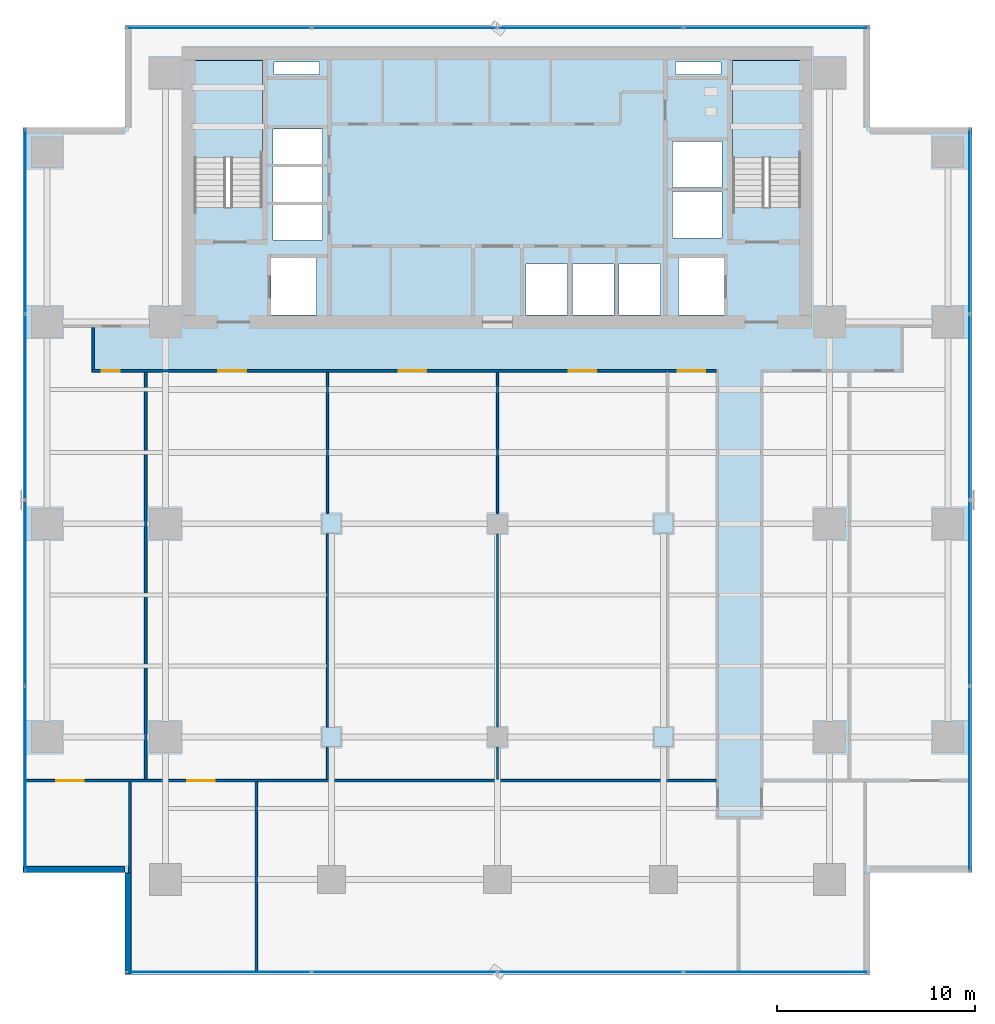
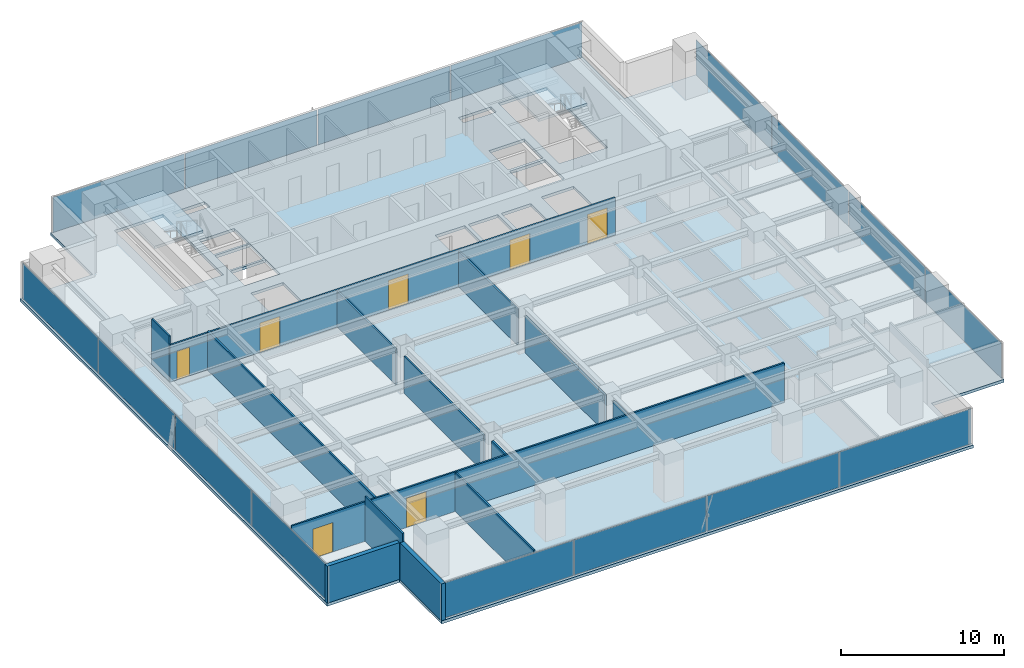
# One storey, part 20 of 28: 16 plates, 14 walls, 7 doors, 3 slabs, 7 openings, 6 elements without a shape of their own.
"""IFC4 building model written with IfcOpenShell, lengths in metres."""

from ifc_helpers import new_model, si_unit, direction, frame, frame_2d, origin, origin_2d, place, context, subcontext, project, spatial, polyline, rectangle, outline, extrude, source, transform, mapped, material, layer, layer_set, type_object, element, fill, aggregate, save


model = new_model("IFC4")

# Units and contexts
model_context = context("Model", 3, precision=1e-05, world=origin(), true_north=direction((0.0, 1.0)))
body_context = subcontext(model_context, "Body", "Model", "MODEL_VIEW")
ifc_project = project(units=[si_unit("LENGTHUNIT", "METRE"), si_unit("AREAUNIT", "SQUARE_METRE"), si_unit("VOLUMEUNIT", "CUBIC_METRE"), si_unit("PLANEANGLEUNIT", "RADIAN"), si_unit("MASSUNIT", "GRAM", prefix="KILO")], contexts=[model_context])

# Site, building, storey
site_placement = place(None, origin())
site = spatial("IfcSite", under=ifc_project, at=site_placement, CompositionType="ELEMENT")
building_placement = place(site_placement, origin())
building = spatial("IfcBuilding", under=site, at=building_placement, Name="Sumidabori Civic Tower", CompositionType="ELEMENT")
storey_placement = place(building_placement, frame((0.0, 0.0, 178.39990234375)))
storey = spatial("IfcBuildingStorey", under=building, at=storey_placement, Name="L46", CompositionType="ELEMENT", Elevation=178.39990234375)

# Stair, slab
ifc_material_1 = material(Name="Concrete C40/50", Category="concrete")
stair_type = type_object("IfcStairType", Name="ST-CORE-1600", PredefinedType="HALF_TURN_STAIR", material=ifc_material_1)
stair_1_placement = place(storey_placement, origin())
stair_1 = element("IfcStair", 1, at=stair_1_placement, inside=storey, type_object=stair_type, Name="L46 ST-1", PredefinedType="HALF_TURN_STAIR")
ifc_layer_1 = layer(ifc_material_1, 0.199951171875, Name="Concrete C40/50")
ifc_layer_set_1 = layer_set([ifc_layer_1], Name="Concrete C40/50")
slab_type_1 = type_object("IfcSlabType", Name="SL-LAND-200", PredefinedType="LANDING", material=ifc_layer_set_1)
slab_1_placement = place(storey_placement, frame((0.0, 0.0, 1.60009765625)))
slab_1 = element("IfcSlab", 2, at=slab_1_placement, type_object=slab_type_1, Name="ST-1 landing 1", PredefinedType="LANDING", context=body_context, shape_type="SweptSolid", body=[
    extrude(outline(polyline([(-11.89990234375, 18.52001953125), (-11.89990234375, 23.449951171875), (-15.340087890625, 23.449951171875), (-15.340087890625, 18.52001953125), (-11.89990234375, 18.52001953125)])), origin(), (0.0, 0.0, 1.0), 0.199951171875),
])
aggregate(stair_1, [slab_1])

stair_2_placement = place(storey_placement, origin())
stair_2 = element("IfcStair", 3, at=stair_2_placement, inside=storey, type_object=stair_type, Name="L46 ST-2", PredefinedType="HALF_TURN_STAIR")
slab_2_placement = place(storey_placement, frame((0.0, 0.0, 1.60009765625)))
slab_2 = element("IfcSlab", 4, at=slab_2_placement, type_object=slab_type_1, Name="ST-2 landing 1", PredefinedType="LANDING", context=body_context, shape_type="SweptSolid", body=[
    extrude(outline(polyline([(15.340087890625, 18.52001953125), (15.340087890625, 23.449951171875), (11.89990234375, 23.449951171875), (11.89990234375, 18.52001953125), (15.340087890625, 18.52001953125)])), origin(), (0.0, 0.0, 1.0), 0.199951171875),
])
aggregate(stair_2, [slab_2])

# Slab
ifc_layer_2 = layer(ifc_material_1, 0.219970703125, Name="Concrete C40/50")
ifc_layer_set_2 = layer_set([ifc_layer_2], Name="Concrete C40/50")
slab_type_2 = type_object("IfcSlabType", Name="SL-Z3-220", PredefinedType="FLOOR", material=ifc_layer_set_2)
slab_3_placement = place(storey_placement, frame((0.0, 0.0, -0.219970703125)))
element("IfcSlab", 5, at=slab_3_placement, inside=storey, type_object=slab_type_2, Name="Structural Slab L46", PredefinedType="FLOOR", context=body_context, shape_type="SweptSolid", body=[
    extrude(outline(polyline([(-18.85009765625, -22.800048828125), (18.85009765625, -22.800048828125), (18.85009765625, -17.64990234375), (24.0, -17.64990234375), (24.0, 20.050048828125), (18.85009765625, 20.050048828125), (18.85009765625, 25.199951171875), (-18.85009765625, 25.199951171875), (-18.85009765625, 20.050048828125), (-24.0, 20.050048828125), (-24.0, -17.64990234375), (-18.85009765625, -17.64990234375), (-18.85009765625, -22.800048828125)]), holes=[polyline([(-11.89990234375, 16.0), (-11.89990234375, 23.449951171875), (-15.340087890625, 23.449951171875), (-15.340087890625, 16.0), (-11.89990234375, 16.0)]), polyline([(15.340087890625, 16.0), (15.340087890625, 23.449951171875), (11.89990234375, 23.449951171875), (11.89990234375, 16.0), (15.340087890625, 16.0)]), polyline([(-11.449951171875, 10.550048828125), (-9.14990234375, 10.550048828125), (-9.14990234375, 13.449951171875), (-11.449951171875, 13.449951171875), (-11.449951171875, 10.550048828125)]), polyline([(9.14990234375, 10.550048828125), (11.449951171875, 10.550048828125), (11.449951171875, 13.449951171875), (9.14990234375, 13.449951171875), (9.14990234375, 10.550048828125)]), polyline([(1.449951171875, 10.550048828125), (3.550048828125, 10.550048828125), (3.550048828125, 13.14990234375), (1.449951171875, 13.14990234375), (1.449951171875, 10.550048828125)]), polyline([(3.800048828125, 10.550048828125), (5.89990234375, 10.550048828125), (5.89990234375, 13.14990234375), (3.800048828125, 13.14990234375), (3.800048828125, 10.550048828125)]), polyline([(6.14990234375, 10.550048828125), (8.25, 10.550048828125), (8.25, 13.14990234375), (6.14990234375, 13.14990234375), (6.14990234375, 10.550048828125)]), polyline([(-11.35009765625, 14.35009765625), (-8.85009765625, 14.35009765625), (-8.85009765625, 16.1201171875), (-11.35009765625, 16.1201171875), (-11.35009765625, 14.35009765625)]), polyline([(-11.35009765625, 16.27001953125), (-8.85009765625, 16.27001953125), (-8.85009765625, 18.0400390625), (-11.35009765625, 18.0400390625), (-11.35009765625, 16.27001953125)]), polyline([(-11.35009765625, 18.18994140625), (-8.85009765625, 18.18994140625), (-8.85009765625, 19.9599609375), (-11.35009765625, 19.9599609375), (-11.35009765625, 18.18994140625)]), polyline([(8.85009765625, 14.449951171875), (11.35009765625, 14.449951171875), (11.35009765625, 16.800048828125), (8.85009765625, 16.800048828125), (8.85009765625, 14.449951171875)]), polyline([(8.85009765625, 17.0), (11.35009765625, 17.0), (11.35009765625, 19.35009765625), (8.85009765625, 19.35009765625), (8.85009765625, 17.0)]), polyline([(-11.300048828125, 22.719970703125), (-9.0, 22.719970703125), (-9.0, 23.35009765625), (-11.300048828125, 23.35009765625), (-11.300048828125, 22.719970703125)]), polyline([(9.0, 22.719970703125), (11.300048828125, 22.719970703125), (11.300048828125, 23.35009765625), (9.0, 23.35009765625), (9.0, 22.719970703125)])]), origin(), (0.0, 0.0, 1.0), 0.219970703125),
])

# Curtain wall, plates
ifc_material_2 = material(Name="Anodised Bronze Aluminium AW-6063-T6", Category="aluminium")
ifc_layer_3 = layer(ifc_material_2, 0.179931640625, Name="Anodised Bronze Aluminium AW-6063-T6")
ifc_layer_set_3 = layer_set([ifc_layer_3], Name="Anodised Bronze Aluminium AW-6063-T6")
curtain_wall_type = type_object("IfcCurtainWallType", Name="CW-SYS-3", PredefinedType="NOTDEFINED", material=ifc_layer_set_3)
curtain_wall_1_placement = place(storey_placement, origin())
curtain_wall_1 = element("IfcCurtainWall", 6, at=curtain_wall_1_placement, inside=storey, type_object=curtain_wall_type, Name="Curtain Wall CW:L46:R01", PredefinedType="NOTDEFINED")
ifc_material_3 = material(Name="Low-E Solar-Control Vision Glazing", Category="glass")
ifc_layer_4 = layer(ifc_material_3, 0.028076171875, Name="Low-E Solar-Control Vision Glazing")
ifc_layer_set_4 = layer_set([ifc_layer_4], Name="Low-E Solar-Control Vision Glazing")
plate_type = type_object("IfcPlateType", Name="CW-PNL-28", PredefinedType="CURTAIN_PANEL", material=ifc_layer_set_4)
shared_shape_1 = source(origin(), body_context, "Body", "SweptSolid", [
    extrude(rectangle(XDim=9.3125, YDim=0.028076171875, at=origin_2d()), origin(), (0.0, 0.0, 1.0), 2.639892578125),
])
plate_1_placement = place(storey_placement, frame((-14.0986328125, -22.679931640625, 0.06005859375), z_axis=(0.0, 0.0, 1.0), x_axis=(1.0, 0.0, 0.0)))
plate_1 = element("IfcPlate", 7, at=plate_1_placement, type_object=plate_type, Name="CW-3 panel 1.1", PredefinedType="CURTAIN_PANEL", context=body_context, shape_type="MappedRepresentation", body=[
    mapped(shared_shape_1, transform((0.0, 0.0, 0.0), x_axis=(1.0, 0.0, 0.0), y_axis=(0.0, 1.0, 0.0), z_axis=(0.0, 0.0, 1.0), scale=1.0)),
])
plate_2_placement = place(storey_placement, frame((14.0986328125, -22.679931640625, 0.06005859375), z_axis=(0.0, 0.0, 1.0), x_axis=(1.0, 0.0, 0.0)))
plate_2 = element("IfcPlate", 8, at=plate_2_placement, type_object=plate_type, Name="CW-3 panel 4.1", PredefinedType="CURTAIN_PANEL", context=body_context, shape_type="MappedRepresentation", body=[
    mapped(shared_shape_1, transform((0.0, 0.0, 0.0), x_axis=(1.0, 0.0, 0.0), y_axis=(0.0, 1.0, 0.0), z_axis=(0.0, 0.0, 1.0), scale=1.0)),
])

curtain_wall_2_placement = place(storey_placement, origin())
curtain_wall_2 = element("IfcCurtainWall", 9, at=curtain_wall_2_placement, inside=storey, type_object=curtain_wall_type, Name="Curtain Wall CW:L46:R04", PredefinedType="NOTDEFINED")
plate_3_placement = place(storey_placement, frame((23.8798828125, -12.898681640625, 0.06005859375), z_axis=(0.0, 0.0, 1.0), x_axis=(0.0, 1.0, 0.0)))
plate_3 = element("IfcPlate", 10, at=plate_3_placement, type_object=plate_type, Name="CW-3 panel 1.1", PredefinedType="CURTAIN_PANEL", context=body_context, shape_type="MappedRepresentation", body=[
    mapped(shared_shape_1, transform((0.0, 0.0, 0.0), x_axis=(1.0, 0.0, 0.0), y_axis=(0.0, 1.0, 0.0), z_axis=(0.0, 0.0, 1.0), scale=1.0)),
])
plate_4_placement = place(storey_placement, frame((23.8798828125, 15.298828125, 0.06005859375), z_axis=(0.0, 0.0, 1.0), x_axis=(0.0, 1.0, 0.0)))
plate_4 = element("IfcPlate", 11, at=plate_4_placement, type_object=plate_type, Name="CW-3 panel 4.1", PredefinedType="CURTAIN_PANEL", context=body_context, shape_type="MappedRepresentation", body=[
    mapped(shared_shape_1, transform((0.0, 0.0, 0.0), x_axis=(1.0, 0.0, 0.0), y_axis=(0.0, 1.0, 0.0), z_axis=(0.0, 0.0, 1.0), scale=1.0)),
])

curtain_wall_3_placement = place(storey_placement, origin())
curtain_wall_3 = element("IfcCurtainWall", 12, at=curtain_wall_3_placement, inside=storey, type_object=curtain_wall_type, Name="Curtain Wall CW:L46:R07", PredefinedType="NOTDEFINED")
plate_5_placement = place(storey_placement, frame((14.0986328125, 25.080078125, 0.06005859375), z_axis=(0.0, 0.0, 1.0), x_axis=(-1.0, 0.0, 0.0)))
plate_5 = element("IfcPlate", 13, at=plate_5_placement, type_object=plate_type, Name="CW-3 panel 1.1", PredefinedType="CURTAIN_PANEL", context=body_context, shape_type="MappedRepresentation", body=[
    mapped(shared_shape_1, transform((0.0, 0.0, 0.0), x_axis=(1.0, 0.0, 0.0), y_axis=(0.0, 1.0, 0.0), z_axis=(0.0, 0.0, 1.0), scale=1.0)),
])
plate_6_placement = place(storey_placement, frame((-14.0986328125, 25.080078125, 0.06005859375), z_axis=(0.0, 0.0, 1.0), x_axis=(-1.0, 0.0, 0.0)))
plate_6 = element("IfcPlate", 14, at=plate_6_placement, type_object=plate_type, Name="CW-3 panel 4.1", PredefinedType="CURTAIN_PANEL", context=body_context, shape_type="MappedRepresentation", body=[
    mapped(shared_shape_1, transform((0.0, 0.0, 0.0), x_axis=(1.0, 0.0, 0.0), y_axis=(0.0, 1.0, 0.0), z_axis=(0.0, 0.0, 1.0), scale=1.0)),
])

curtain_wall_4_placement = place(storey_placement, origin())
curtain_wall_4 = element("IfcCurtainWall", 15, at=curtain_wall_4_placement, inside=storey, type_object=curtain_wall_type, Name="Curtain Wall CW:L46:R10", PredefinedType="NOTDEFINED")
plate_7_placement = place(storey_placement, frame((-23.8798828125, 15.298828125, 0.06005859375), z_axis=(0.0, 0.0, 1.0), x_axis=(0.0, -1.0, 0.0)))
plate_7 = element("IfcPlate", 16, at=plate_7_placement, type_object=plate_type, Name="CW-3 panel 1.1", PredefinedType="CURTAIN_PANEL", context=body_context, shape_type="MappedRepresentation", body=[
    mapped(shared_shape_1, transform((0.0, 0.0, 0.0), x_axis=(1.0, 0.0, 0.0), y_axis=(0.0, 1.0, 0.0), z_axis=(0.0, 0.0, 1.0), scale=1.0)),
])
plate_8_placement = place(storey_placement, frame((-23.8798828125, -12.898681640625, 0.06005859375), z_axis=(0.0, 0.0, 1.0), x_axis=(0.0, -1.0, 0.0)))
plate_8 = element("IfcPlate", 17, at=plate_8_placement, type_object=plate_type, Name="CW-3 panel 4.1", PredefinedType="CURTAIN_PANEL", context=body_context, shape_type="MappedRepresentation", body=[
    mapped(shared_shape_1, transform((0.0, 0.0, 0.0), x_axis=(1.0, 0.0, 0.0), y_axis=(0.0, 1.0, 0.0), z_axis=(0.0, 0.0, 1.0), scale=1.0)),
])

# Plate
shared_shape_2 = source(origin(), body_context, "Body", "SweptSolid", [
    extrude(rectangle(XDim=9.344970703125, YDim=0.028076171875, at=origin_2d()), origin(), (0.0, 0.0, 1.0), 2.639892578125),
])
plate_9_placement = place(storey_placement, frame((-4.705078125, -22.679931640625, 0.06005859375), z_axis=(0.0, 0.0, 1.0), x_axis=(1.0, 0.0, 0.0)))
plate_9 = element("IfcPlate", 18, at=plate_9_placement, type_object=plate_type, Name="CW-3 panel 2.1", PredefinedType="CURTAIN_PANEL", context=body_context, shape_type="MappedRepresentation", body=[
    mapped(shared_shape_2, transform((0.0, 0.0, 0.0), x_axis=(1.0, 0.0, 0.0), y_axis=(0.0, 1.0, 0.0), z_axis=(0.0, 0.0, 1.0), scale=1.0)),
])

plate_10_placement = place(storey_placement, frame((4.705078125, -22.679931640625, 0.06005859375), z_axis=(0.0, 0.0, 1.0), x_axis=(1.0, 0.0, 0.0)))
plate_10 = element("IfcPlate", 19, at=plate_10_placement, type_object=plate_type, Name="CW-3 panel 3.1", PredefinedType="CURTAIN_PANEL", context=body_context, shape_type="MappedRepresentation", body=[
    mapped(shared_shape_2, transform((0.0, 0.0, 0.0), x_axis=(1.0, 0.0, 0.0), y_axis=(0.0, 1.0, 0.0), z_axis=(0.0, 0.0, 1.0), scale=1.0)),
])

aggregate(curtain_wall_1, [plate_1, plate_9, plate_10, plate_2])

plate_11_placement = place(storey_placement, frame((23.8798828125, -3.5048828125, 0.06005859375), z_axis=(0.0, 0.0, 1.0), x_axis=(0.0, 1.0, 0.0)))
plate_11 = element("IfcPlate", 20, at=plate_11_placement, type_object=plate_type, Name="CW-3 panel 2.1", PredefinedType="CURTAIN_PANEL", context=body_context, shape_type="MappedRepresentation", body=[
    mapped(shared_shape_2, transform((0.0, 0.0, 0.0), x_axis=(1.0, 0.0, 0.0), y_axis=(0.0, 1.0, 0.0), z_axis=(0.0, 0.0, 1.0), scale=1.0)),
])

plate_12_placement = place(storey_placement, frame((23.8798828125, 5.905029296875, 0.06005859375), z_axis=(0.0, 0.0, 1.0), x_axis=(0.0, 1.0, 0.0)))
plate_12 = element("IfcPlate", 21, at=plate_12_placement, type_object=plate_type, Name="CW-3 panel 3.1", PredefinedType="CURTAIN_PANEL", context=body_context, shape_type="MappedRepresentation", body=[
    mapped(shared_shape_2, transform((0.0, 0.0, 0.0), x_axis=(1.0, 0.0, 0.0), y_axis=(0.0, 1.0, 0.0), z_axis=(0.0, 0.0, 1.0), scale=1.0)),
])

aggregate(curtain_wall_2, [plate_3, plate_11, plate_12, plate_4])

plate_13_placement = place(storey_placement, frame((4.705078125, 25.080078125, 0.06005859375), z_axis=(0.0, 0.0, 1.0), x_axis=(-1.0, 0.0, 0.0)))
plate_13 = element("IfcPlate", 22, at=plate_13_placement, type_object=plate_type, Name="CW-3 panel 2.1", PredefinedType="CURTAIN_PANEL", context=body_context, shape_type="MappedRepresentation", body=[
    mapped(shared_shape_2, transform((0.0, 0.0, 0.0), x_axis=(1.0, 0.0, 0.0), y_axis=(0.0, 1.0, 0.0), z_axis=(0.0, 0.0, 1.0), scale=1.0)),
])

plate_14_placement = place(storey_placement, frame((-4.705078125, 25.080078125, 0.06005859375), z_axis=(0.0, 0.0, 1.0), x_axis=(-1.0, 0.0, 0.0)))
plate_14 = element("IfcPlate", 23, at=plate_14_placement, type_object=plate_type, Name="CW-3 panel 3.1", PredefinedType="CURTAIN_PANEL", context=body_context, shape_type="MappedRepresentation", body=[
    mapped(shared_shape_2, transform((0.0, 0.0, 0.0), x_axis=(1.0, 0.0, 0.0), y_axis=(0.0, 1.0, 0.0), z_axis=(0.0, 0.0, 1.0), scale=1.0)),
])

aggregate(curtain_wall_3, [plate_5, plate_13, plate_14, plate_6])

plate_15_placement = place(storey_placement, frame((-23.8798828125, 5.905029296875, 0.06005859375), z_axis=(0.0, 0.0, 1.0), x_axis=(0.0, -1.0, 0.0)))
plate_15 = element("IfcPlate", 24, at=plate_15_placement, type_object=plate_type, Name="CW-3 panel 2.1", PredefinedType="CURTAIN_PANEL", context=body_context, shape_type="MappedRepresentation", body=[
    mapped(shared_shape_2, transform((0.0, 0.0, 0.0), x_axis=(1.0, 0.0, 0.0), y_axis=(0.0, 1.0, 0.0), z_axis=(0.0, 0.0, 1.0), scale=1.0)),
])

plate_16_placement = place(storey_placement, frame((-23.8798828125, -3.5048828125, 0.06005859375), z_axis=(0.0, 0.0, 1.0), x_axis=(0.0, -1.0, 0.0)))
plate_16 = element("IfcPlate", 25, at=plate_16_placement, type_object=plate_type, Name="CW-3 panel 3.1", PredefinedType="CURTAIN_PANEL", context=body_context, shape_type="MappedRepresentation", body=[
    mapped(shared_shape_2, transform((0.0, 0.0, 0.0), x_axis=(1.0, 0.0, 0.0), y_axis=(0.0, 1.0, 0.0), z_axis=(0.0, 0.0, 1.0), scale=1.0)),
])

aggregate(curtain_wall_4, [plate_7, plate_15, plate_16, plate_8])

# Walls
ifc_material_4 = material(Name="Precast concrete C40/50", Category="concrete")
ifc_layer_5 = layer(ifc_material_4, 0.300048828125, Name="Precast concrete C40/50")
ifc_layer_set_5 = layer_set([ifc_layer_5], Name="Precast concrete C40/50")
wall_type_1 = type_object("IfcWallType", Name="WL-EXT-POD300", PredefinedType="STANDARD", material=ifc_layer_set_5)
shared_shape_3 = source(origin(), body_context, "Body", "SweptSolid", [
    extrude(rectangle(XDim=5.110107421875, YDim=0.300048828125, at=frame_2d((2.55517578125, 0.0))), origin(), (0.0, 0.0, 1.0), 2.760009765625),
])
wall_1_placement = place(storey_placement, frame((-18.699951171875, -17.669921875, 0.0), z_axis=(0.0, 0.0, 1.0), x_axis=(0.0, -1.0, 0.0)))
element("IfcWall", 26, at=wall_1_placement, inside=storey, type_object=wall_type_1, Name="Notched Corner Spandrel Band L46-12", PredefinedType="STANDARD", context=body_context, shape_type="MappedRepresentation", body=[
    mapped(shared_shape_3, transform((0.0, 0.0, 0.0), x_axis=(1.0, 0.0, 0.0), y_axis=(0.0, 1.0, 0.0), z_axis=(0.0, 0.0, 1.0), scale=1.0)),
])
shared_shape_4 = source(origin(), body_context, "Body", "SweptSolid", [
    extrude(rectangle(XDim=5.10986328125, YDim=0.300048828125, at=frame_2d((2.554931640625, 0.0))), origin(), (0.0, 0.0, 1.0), 2.760009765625),
])
wall_2_placement = place(storey_placement, frame((-23.97998046875, -17.5, 0.0), z_axis=(0.0, 0.0, 1.0), x_axis=(1.0, 0.0, 0.0)))
element("IfcWall", 27, at=wall_2_placement, inside=storey, type_object=wall_type_1, Name="Notched Corner Spandrel Band L46-11", PredefinedType="STANDARD", context=body_context, shape_type="MappedRepresentation", body=[
    mapped(shared_shape_4, transform((0.0, 0.0, 0.0), x_axis=(1.0, 0.0, 0.0), y_axis=(0.0, 1.0, 0.0), z_axis=(0.0, 0.0, 1.0), scale=1.0)),
])

# Wall, openings, doors
ifc_material_5 = material(Name="Gypsum Plasterboard Acoustic Partition")
ifc_layer_6 = layer(ifc_material_5, 0.1201171875, Name="Gypsum Plasterboard Acoustic Partition")
ifc_layer_set_6 = layer_set([ifc_layer_6], Name="Gypsum Plasterboard Acoustic Partition")
wall_type_2 = type_object("IfcWallType", Name="WL-PART-120", PredefinedType="PARTITIONING", material=ifc_layer_set_6)
shared_shape_5 = source(origin(), body_context, "Body", "SweptSolid", [
    extrude(rectangle(XDim=31.60009765625, YDim=0.1201171875, at=frame_2d((15.800048828125, 0.0))), origin(), (0.0, 0.0, 1.0), 2.76513671875),
])
wall_3_placement = place(storey_placement, frame((-20.52001953125, 7.739990234375, 0.0), z_axis=(0.0, 0.0, 1.0), x_axis=(1.0, 0.0, 0.0)))
wall_3 = element("IfcWall", 28, at=wall_3_placement, inside=storey, type_object=wall_type_2, Name="Interior Partition WL:L46:CORR-SW", PredefinedType="PARTITIONING", context=body_context, shape_type="MappedRepresentation", body=[
    mapped(shared_shape_5, transform((0.0, 0.0, 0.0), x_axis=(1.0, 0.0, 0.0), y_axis=(0.0, 1.0, 0.0), z_axis=(0.0, 0.0, 1.0), scale=1.0)),
])
opening_1_placement = place(wall_3_placement, frame((0.5, 0.0, 0.0)))
opening_1 = element("IfcOpeningElement", 29, at=opening_1_placement, cuts=wall_3, Name="Opening DR-1", PredefinedType="OPENING", context=body_context, shape_type="SweptSolid", body=[
    extrude(rectangle(XDim=0.89990234375, YDim=2.14990234375, at=frame_2d((0.449951171875, 1.074951171875))), frame((0.0, 0.072021484375, 0.0), z_axis=(0.0, -1.0, 0.0), x_axis=(1.0, 0.0, 0.0)), (0.0, 0.0, 1.0), 0.14404296875),
])
opening_2_placement = place(wall_3_placement, frame((6.39990234375, 0.0, 0.0)))
opening_2 = element("IfcOpeningElement", 30, at=opening_2_placement, cuts=wall_3, Name="Opening DR-5", PredefinedType="OPENING", context=body_context, shape_type="SweptSolid", body=[
    extrude(rectangle(XDim=1.39990234375, YDim=2.199951171875, at=frame_2d((0.699951171875, 1.10009765625))), frame((0.0, 0.072021484375, 0.0), z_axis=(0.0, -1.0, 0.0), x_axis=(1.0, 0.0, 0.0)), (0.0, 0.0, 1.0), 0.14404296875),
])
opening_3_placement = place(wall_3_placement, frame((15.52001953125, 0.0, 0.0)))
opening_3 = element("IfcOpeningElement", 31, at=opening_3_placement, cuts=wall_3, Name="Opening DR-5", PredefinedType="OPENING", context=body_context, shape_type="SweptSolid", body=[
    extrude(rectangle(XDim=1.39990234375, YDim=2.199951171875, at=frame_2d((0.699951171875, 1.10009765625))), frame((0.0, 0.072021484375, 0.0), z_axis=(0.0, -1.0, 0.0), x_axis=(1.0, 0.0, 0.0)), (0.0, 0.0, 1.0), 0.14404296875),
])
opening_4_placement = place(wall_3_placement, frame((24.1201171875, 0.0, 0.0)))
opening_4 = element("IfcOpeningElement", 32, at=opening_4_placement, cuts=wall_3, Name="Opening DR-5", PredefinedType="OPENING", context=body_context, shape_type="SweptSolid", body=[
    extrude(rectangle(XDim=1.39990234375, YDim=2.199951171875, at=frame_2d((0.699951171875, 1.10009765625))), frame((0.0, 0.072021484375, 0.0), z_axis=(0.0, -1.0, 0.0), x_axis=(1.0, 0.0, 0.0)), (0.0, 0.0, 1.0), 0.14404296875),
])
opening_5_placement = place(wall_3_placement, frame((29.6298828125, 0.0, 0.0)))
opening_5 = element("IfcOpeningElement", 33, at=opening_5_placement, cuts=wall_3, Name="Opening DR-5", PredefinedType="OPENING", context=body_context, shape_type="SweptSolid", body=[
    extrude(rectangle(XDim=1.39990234375, YDim=2.199951171875, at=frame_2d((0.699951171875, 1.10009765625))), frame((0.0, 0.072021484375, 0.0), z_axis=(0.0, -1.0, 0.0), x_axis=(1.0, 0.0, 0.0)), (0.0, 0.0, 1.0), 0.14404296875),
])
ifc_material_6 = material(Name="Japanese Hinoki Timber", Category="wood")
door_type_1 = type_object("IfcDoorType", Name="DR-INT-900", OperationType="NOTDEFINED", PredefinedType="DOOR", material=ifc_material_6)
shared_shape_6 = source(origin(), body_context, "Body", "SweptSolid", [
    extrude(rectangle(XDim=0.89990234375, YDim=2.14990234375, at=frame_2d((0.449951171875, 1.074951171875))), frame((0.0, 0.02490234375, 0.0), z_axis=(0.0, -1.0, 0.0), x_axis=(1.0, 0.0, 0.0)), (0.0, 0.0, 1.0), 0.050048828125),
])
door_1_placement = place(opening_1_placement, origin())
door_1 = element("IfcDoor", 34, at=door_1_placement, inside=storey, type_object=door_type_1, Name="Door DR:L46:D02", OperationType="SINGLE_SWING_RIGHT", OverallHeight=2.14990234375, OverallWidth=0.89990234375, PredefinedType="DOOR", context=body_context, shape_type="MappedRepresentation", body=[
    mapped(shared_shape_6, transform((0.0, 0.0, 0.0), x_axis=(1.0, 0.0, 0.0), y_axis=(0.0, 1.0, 0.0), z_axis=(0.0, 0.0, 1.0), scale=1.0)),
])
fill(opening_1, door_1)
door_type_2 = type_object("IfcDoorType", Name="DR-DBL-1400", OperationType="DOUBLE_DOOR_SINGLE_SWING", PredefinedType="DOOR", material=ifc_material_2)
shared_shape_7 = source(origin(), body_context, "Body", "SweptSolid", [
    extrude(rectangle(XDim=1.39990234375, YDim=2.199951171875, at=frame_2d((0.699951171875, 1.10009765625))), frame((0.0, 0.02490234375, 0.0), z_axis=(0.0, -1.0, 0.0), x_axis=(1.0, 0.0, 0.0)), (0.0, 0.0, 1.0), 0.050048828125),
])
door_2_placement = place(opening_2_placement, origin())
door_2 = element("IfcDoor", 35, at=door_2_placement, inside=storey, type_object=door_type_2, Name="Door DR:L46:D05", OperationType="DOUBLE_DOOR_SINGLE_SWING", OverallHeight=2.199951171875, OverallWidth=1.39990234375, PredefinedType="DOOR", context=body_context, shape_type="MappedRepresentation", body=[
    mapped(shared_shape_7, transform((0.0, 0.0, 0.0), x_axis=(1.0, 0.0, 0.0), y_axis=(0.0, 1.0, 0.0), z_axis=(0.0, 0.0, 1.0), scale=1.0)),
])
fill(opening_2, door_2)
door_3_placement = place(opening_3_placement, origin())
door_3 = element("IfcDoor", 36, at=door_3_placement, inside=storey, type_object=door_type_2, Name="Door DR:L46:D06", OperationType="DOUBLE_DOOR_SINGLE_SWING", OverallHeight=2.199951171875, OverallWidth=1.39990234375, PredefinedType="DOOR", context=body_context, shape_type="MappedRepresentation", body=[
    mapped(shared_shape_7, transform((0.0, 0.0, 0.0), x_axis=(1.0, 0.0, 0.0), y_axis=(0.0, 1.0, 0.0), z_axis=(0.0, 0.0, 1.0), scale=1.0)),
])
fill(opening_3, door_3)
door_4_placement = place(opening_4_placement, origin())
door_4 = element("IfcDoor", 37, at=door_4_placement, inside=storey, type_object=door_type_2, Name="Door DR:L46:D07", OperationType="DOUBLE_DOOR_SINGLE_SWING", OverallHeight=2.199951171875, OverallWidth=1.39990234375, PredefinedType="DOOR", context=body_context, shape_type="MappedRepresentation", body=[
    mapped(shared_shape_7, transform((0.0, 0.0, 0.0), x_axis=(1.0, 0.0, 0.0), y_axis=(0.0, 1.0, 0.0), z_axis=(0.0, 0.0, 1.0), scale=1.0)),
])
fill(opening_4, door_4)
door_5_placement = place(opening_5_placement, origin())
door_5 = element("IfcDoor", 38, at=door_5_placement, inside=storey, type_object=door_type_2, Name="Door DR:L46:D08", OperationType="DOUBLE_DOOR_SINGLE_SWING", OverallHeight=2.199951171875, OverallWidth=1.39990234375, PredefinedType="DOOR", context=body_context, shape_type="MappedRepresentation", body=[
    mapped(shared_shape_7, transform((0.0, 0.0, 0.0), x_axis=(1.0, 0.0, 0.0), y_axis=(0.0, 1.0, 0.0), z_axis=(0.0, 0.0, 1.0), scale=1.0)),
])
fill(opening_5, door_5)

# Wall
shared_shape_8 = source(origin(), body_context, "Body", "SweptSolid", [
    extrude(rectangle(XDim=2.130126953125, YDim=0.1201171875, at=frame_2d((1.06494140625, 0.0))), origin(), (0.0, 0.0, 1.0), 3.380126953125),
])
wall_4_placement = place(storey_placement, frame((-20.4599609375, 7.804931640625, 0.0), z_axis=(0.0, 0.0, 1.0), x_axis=(0.0, 1.0, 0.0)))
element("IfcWall", 39, at=wall_4_placement, inside=storey, type_object=wall_type_2, Name="Interior Partition WL:L46:CORR-VNW", PredefinedType="PARTITIONING", context=body_context, shape_type="MappedRepresentation", body=[
    mapped(shared_shape_8, transform((0.0, 0.0, 0.0), x_axis=(1.0, 0.0, 0.0), y_axis=(0.0, 1.0, 0.0), z_axis=(0.0, 0.0, 1.0), scale=1.0)),
])

# Wall, openings, doors
shared_shape_9 = source(origin(), body_context, "Body", "SweptSolid", [
    extrude(rectangle(XDim=34.925048828125, YDim=0.1201171875, at=frame_2d((17.46240234375, 0.0))), origin(), (0.0, 0.0, 1.0), 2.965087890625),
])
wall_5_placement = place(storey_placement, frame((-23.85009765625, -13.0, 0.0), z_axis=(0.0, 0.0, 1.0), x_axis=(1.0, 0.0, 0.0)))
wall_5 = element("IfcWall", 40, at=wall_5_placement, inside=storey, type_object=wall_type_2, Name="Interior Partition WL:L46:BAND-Y-1", PredefinedType="PARTITIONING", context=body_context, shape_type="MappedRepresentation", body=[
    mapped(shared_shape_9, transform((0.0, 0.0, 0.0), x_axis=(1.0, 0.0, 0.0), y_axis=(0.0, 1.0, 0.0), z_axis=(0.0, 0.0, 1.0), scale=1.0)),
])
opening_6_placement = place(wall_5_placement, frame((1.514892578125, 0.0, 0.0)))
opening_6 = element("IfcOpeningElement", 41, at=opening_6_placement, cuts=wall_5, Name="Opening DR-5", PredefinedType="OPENING", context=body_context, shape_type="SweptSolid", body=[
    extrude(rectangle(XDim=1.39990234375, YDim=2.199951171875, at=frame_2d((0.699951171875, 1.10009765625))), frame((0.0, 0.072021484375, 0.0), z_axis=(0.0, -1.0, 0.0), x_axis=(1.0, 0.0, 0.0)), (0.0, 0.0, 1.0), 0.14404296875),
])
opening_7_placement = place(wall_5_placement, frame((8.14990234375, 0.0, 0.0)))
opening_7 = element("IfcOpeningElement", 42, at=opening_7_placement, cuts=wall_5, Name="Opening DR-5", PredefinedType="OPENING", context=body_context, shape_type="SweptSolid", body=[
    extrude(rectangle(XDim=1.39990234375, YDim=2.199951171875, at=frame_2d((0.699951171875, 1.10009765625))), frame((0.0, 0.072021484375, 0.0), z_axis=(0.0, -1.0, 0.0), x_axis=(1.0, 0.0, 0.0)), (0.0, 0.0, 1.0), 0.14404296875),
])
door_6_placement = place(opening_6_placement, origin())
door_6 = element("IfcDoor", 43, at=door_6_placement, inside=storey, type_object=door_type_2, Name="Door DR:L46:D11", OperationType="DOUBLE_DOOR_SINGLE_SWING", OverallHeight=2.199951171875, OverallWidth=1.39990234375, PredefinedType="DOOR", context=body_context, shape_type="MappedRepresentation", body=[
    mapped(shared_shape_7, transform((0.0, 0.0, 0.0), x_axis=(1.0, 0.0, 0.0), y_axis=(0.0, 1.0, 0.0), z_axis=(0.0, 0.0, 1.0), scale=1.0)),
])
fill(opening_6, door_6)
door_7_placement = place(opening_7_placement, origin())
door_7 = element("IfcDoor", 44, at=door_7_placement, inside=storey, type_object=door_type_2, Name="Door DR:L46:D13", OperationType="DOUBLE_DOOR_SINGLE_SWING", OverallHeight=2.199951171875, OverallWidth=1.39990234375, PredefinedType="DOOR", context=body_context, shape_type="MappedRepresentation", body=[
    mapped(shared_shape_7, transform((0.0, 0.0, 0.0), x_axis=(1.0, 0.0, 0.0), y_axis=(0.0, 1.0, 0.0), z_axis=(0.0, 0.0, 1.0), scale=1.0)),
])
fill(opening_7, door_7)

# Walls
shared_shape_10 = source(origin(), body_context, "Body", "SweptSolid", [
    extrude(rectangle(XDim=20.610107421875, YDim=0.1201171875, at=frame_2d((10.30517578125, 0.0))), origin(), (0.0, 0.0, 1.0), 2.9150390625),
])
wall_6_placement = place(storey_placement, frame((-17.800048828125, -12.93505859375, 0.0), z_axis=(0.0, 0.0, 1.0), x_axis=(0.0, 1.0, 0.0)))
element("IfcWall", 45, at=wall_6_placement, inside=storey, type_object=wall_type_2, Name="Interior Partition WL:L46:VX-N1", PredefinedType="PARTITIONING", context=body_context, shape_type="MappedRepresentation", body=[
    mapped(shared_shape_10, transform((0.0, 0.0, 0.0), x_axis=(1.0, 0.0, 0.0), y_axis=(0.0, 1.0, 0.0), z_axis=(0.0, 0.0, 1.0), scale=1.0)),
])
shared_shape_11 = source(origin(), body_context, "Body", "SweptSolid", [
    extrude(rectangle(XDim=1.625, YDim=0.1201171875, at=frame_2d((0.8125, 0.0))), origin(), (0.0, 0.0, 1.0), 2.965087890625),
])
for number, where, z_axis, x_axis, name in (
    (46, (-8.60009765625, -12.93505859375, 0.0), (0.0, 0.0, 1.0), (0.0, 1.0, 0.0), "Interior Partition WL:L46:VX-N2-1"),
    (47, (0.0, -12.93505859375, 0.0), (0.0, 0.0, 1.0), (0.0, 1.0, 0.0), "Interior Partition WL:L46:VX-N3-1"),
):
    element("IfcWall", number, at=place(storey_placement, frame(where, z_axis=z_axis, x_axis=x_axis)), inside=storey, type_object=wall_type_2, Name=name, PredefinedType="PARTITIONING", context=body_context, shape_type="MappedRepresentation", body=[
        mapped(shared_shape_11, transform((0.0, 0.0, 0.0), x_axis=(1.0, 0.0, 0.0), y_axis=(0.0, 1.0, 0.0), z_axis=(0.0, 0.0, 1.0), scale=1.0)),
    ])
shared_shape_12 = source(origin(), body_context, "Body", "SweptSolid", [
    extrude(rectangle(XDim=9.780029296875, YDim=0.1201171875, at=frame_2d((4.89013671875, 0.0))), origin(), (0.0, 0.0, 1.0), 2.76513671875),
])
for number, where, z_axis, x_axis, name in (
    (48, (-8.60009765625, -10.2900390625, 0.0), (0.0, 0.0, 1.0), (0.0, 1.0, 0.0), "Interior Partition WL:L46:VX-N2-2"),
    (49, (0.0, -10.2900390625, 0.0), (0.0, 0.0, 1.0), (0.0, 1.0, 0.0), "Interior Partition WL:L46:VX-N3-2"),
):
    element("IfcWall", number, at=place(storey_placement, frame(where, z_axis=z_axis, x_axis=x_axis)), inside=storey, type_object=wall_type_2, Name=name, PredefinedType="PARTITIONING", context=body_context, shape_type="MappedRepresentation", body=[
        mapped(shared_shape_12, transform((0.0, 0.0, 0.0), x_axis=(1.0, 0.0, 0.0), y_axis=(0.0, 1.0, 0.0), z_axis=(0.0, 0.0, 1.0), scale=1.0)),
    ])
shared_shape_13 = source(origin(), body_context, "Body", "SweptSolid", [
    extrude(rectangle(XDim=7.1650390625, YDim=0.1201171875, at=frame_2d((3.58251953125, 0.0))), origin(), (0.0, 0.0, 1.0), 2.6650390625),
])
for number, where, z_axis, x_axis, name in (
    (50, (-8.60009765625, 0.510009765625, 0.0), (0.0, 0.0, 1.0), (0.0, 1.0, 0.0), "Interior Partition WL:L46:VX-N2-3"),
    (51, (0.0, 0.510009765625, 0.0), (0.0, 0.0, 1.0), (0.0, 1.0, 0.0), "Interior Partition WL:L46:VX-N3-3"),
):
    element("IfcWall", number, at=place(storey_placement, frame(where, z_axis=z_axis, x_axis=x_axis)), inside=storey, type_object=wall_type_2, Name=name, PredefinedType="PARTITIONING", context=body_context, shape_type="MappedRepresentation", body=[
        mapped(shared_shape_13, transform((0.0, 0.0, 0.0), x_axis=(1.0, 0.0, 0.0), y_axis=(0.0, 1.0, 0.0), z_axis=(0.0, 0.0, 1.0), scale=1.0)),
    ])
shared_shape_14 = source(origin(), body_context, "Body", "SweptSolid", [
    extrude(rectangle(XDim=4.59716796875, YDim=0.1201171875, at=frame_2d((2.298583984375, 0.0))), origin(), (0.0, 0.0, 1.0), 3.380126953125),
])
wall_7_placement = place(storey_placement, frame((-18.60009765625, -17.662109375, 0.0), z_axis=(0.0, 0.0, 1.0), x_axis=(0.0, 1.0, 0.0)))
element("IfcWall", 52, at=wall_7_placement, inside=storey, type_object=wall_type_2, Name="Interior Partition WL:L46:VX-S1", PredefinedType="PARTITIONING", context=body_context, shape_type="MappedRepresentation", body=[
    mapped(shared_shape_14, transform((0.0, 0.0, 0.0), x_axis=(1.0, 0.0, 0.0), y_axis=(0.0, 1.0, 0.0), z_axis=(0.0, 0.0, 1.0), scale=1.0)),
])
shared_shape_15 = source(origin(), body_context, "Body", "SweptSolid", [
    extrude(rectangle(XDim=9.5849609375, YDim=0.1201171875, at=frame_2d((4.79248046875, 0.0))), origin(), (0.0, 0.0, 1.0), 2.9150390625),
])
wall_8_placement = place(storey_placement, frame((-12.199951171875, -22.64990234375, 0.0), z_axis=(0.0, 0.0, 1.0), x_axis=(0.0, 1.0, 0.0)))
element("IfcWall", 53, at=wall_8_placement, inside=storey, type_object=wall_type_2, Name="Interior Partition WL:L46:VX-S2", PredefinedType="PARTITIONING", context=body_context, shape_type="MappedRepresentation", body=[
    mapped(shared_shape_15, transform((0.0, 0.0, 0.0), x_axis=(1.0, 0.0, 0.0), y_axis=(0.0, 1.0, 0.0), z_axis=(0.0, 0.0, 1.0), scale=1.0)),
])

save(model, "model.ifc")
